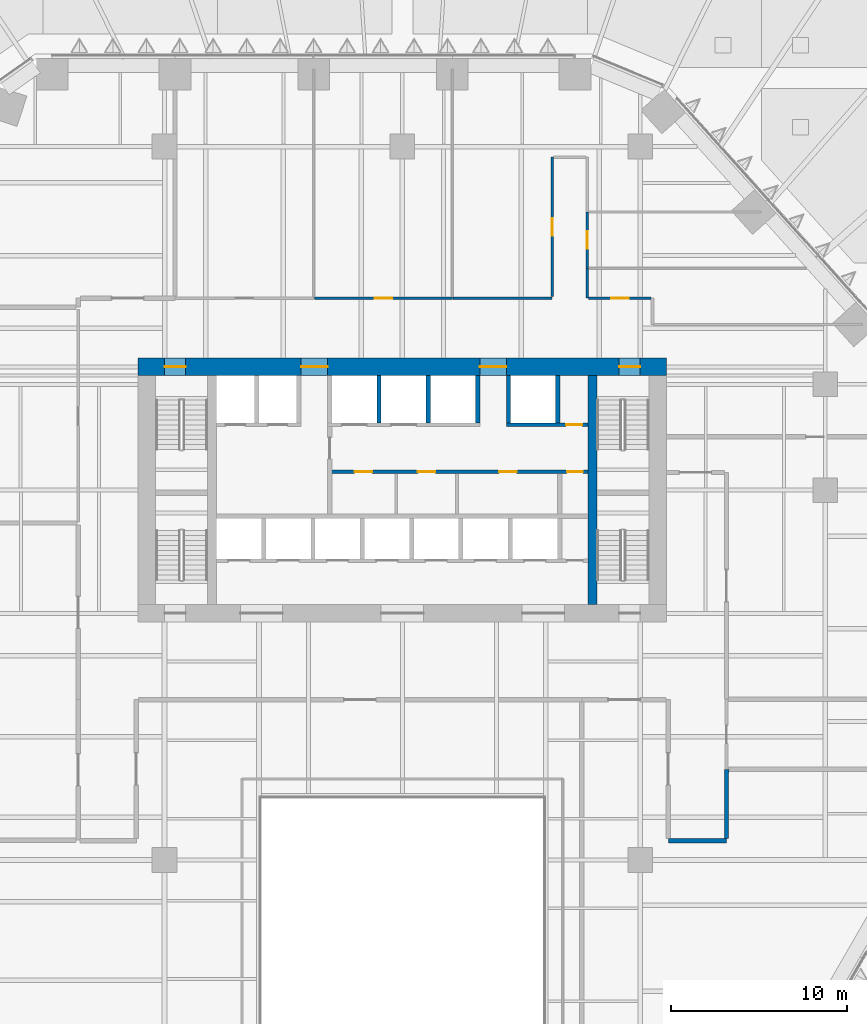
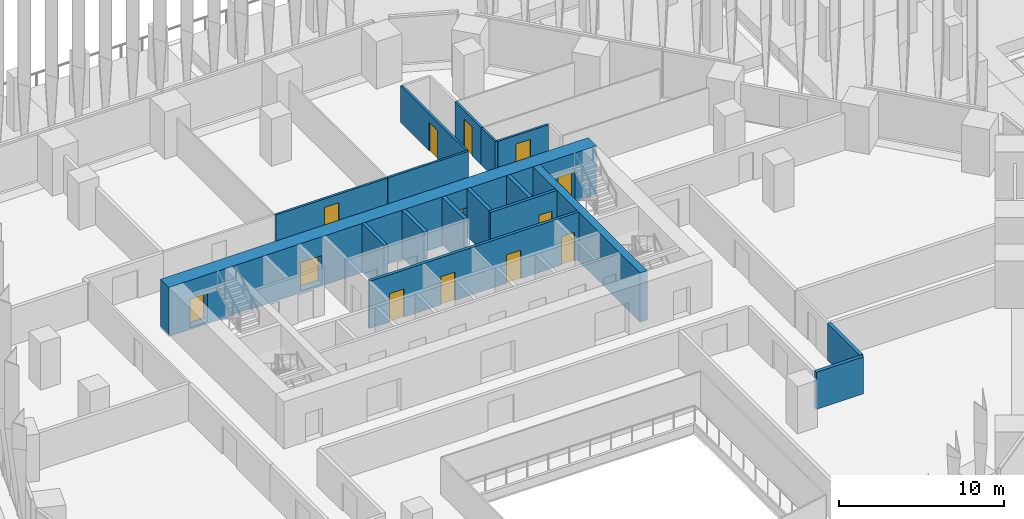
# One storey, part 26 of 51: 17 walls, 13 doors, 13 openings.
"""IFC4 building model written with IfcOpenShell, lengths in metres."""

from ifc_helpers import new_model, si_unit, direction, frame, frame_2d, origin, place, context, subcontext, project, spatial, rectangle, extrude, material, layer, layer_set, type_object, element, fill, save


model = new_model("IFC4")

# Units and contexts
model_context = context("Model", 3, precision=1e-05, world=origin(), true_north=direction((0.0, 1.0)))
body_context = subcontext(model_context, "Body", "Model", "MODEL_VIEW")
ifc_project = project(units=[si_unit("LENGTHUNIT", "METRE"), si_unit("AREAUNIT", "SQUARE_METRE"), si_unit("VOLUMEUNIT", "CUBIC_METRE"), si_unit("PLANEANGLEUNIT", "RADIAN"), si_unit("MASSUNIT", "GRAM", prefix="KILO")], contexts=[model_context])

# Site, building, storey
site_placement = place(None, origin())
site = spatial("IfcSite", under=ifc_project, at=site_placement, CompositionType="ELEMENT")
building_placement = place(site_placement, origin())
building = spatial("IfcBuilding", under=site, at=building_placement, Name="Isthmus Gate Tower", CompositionType="ELEMENT")
storey_placement = place(building_placement, frame((0.0, 0.0, 36.0)))
storey = spatial("IfcBuildingStorey", under=building, at=storey_placement, Name="L06", CompositionType="ELEMENT", Elevation=36.0)

# Walls
ifc_material_1 = material(Name="Double-leaf acoustic stud wall, fire-rated", Category="gypsum")
ifc_layer_1 = layer(ifc_material_1, 0.25)
ifc_layer_set_1 = layer_set([ifc_layer_1], Name="ACOUSTIC WALL 250 60 MIN")
wall_type_1 = type_object("IfcWallType", Name="ACOUSTIC WALL 250 60 MIN", PredefinedType="PARTITIONING", material=ifc_layer_set_1)
wall_1_placement = place(storey_placement, frame((18.39990234375, -12.39990234375, 0.0), z_axis=(0.0, 0.0, 1.0), x_axis=(-1.0, 0.0, 0.0)))
element("IfcWall", 1, at=wall_1_placement, inside=storey, type_object=wall_type_1, Name="L06 Acoustic Wall 250 60 Min", PredefinedType="PARTITIONING", context=body_context, shape_type="SweptSolid", body=[
    extrude(rectangle(XDim=3.2998046875, YDim=0.25, at=frame_2d((1.64990234375, 0.0))), origin(), (0.0, 0.0, 1.0), 2.7412109375),
])
wall_2_placement = place(storey_placement, frame((18.402099609375, -8.35009765625, 0.0), z_axis=(0.0, 0.0, 1.0), x_axis=(-0.000497636166, -0.999999876179, 0.0)))
element("IfcWall", 2, at=wall_2_placement, inside=storey, type_object=wall_type_1, Name="L06 Acoustic Wall 250 60 Min", PredefinedType="PARTITIONING", context=body_context, shape_type="SweptSolid", body=[
    extrude(rectangle(XDim=3.9248046875, YDim=0.25, at=frame_2d((1.96240234375, 0.0))), origin(), (0.0, 0.0, 1.0), 2.7412109375),
])

# Wall, opening, door
ifc_material_2 = material(Name="Gypsum board on steel studs, fire-rated", Category="steel")
ifc_layer_2 = layer(ifc_material_2, 0.14990234375)
ifc_layer_set_2 = layer_set([ifc_layer_2], Name="CORRIDOR WALL 150 60 MIN")
wall_type_2 = type_object("IfcWallType", Name="CORRIDOR WALL 150 60 MIN", PredefinedType="PARTITIONING", material=ifc_layer_set_2)
wall_3_placement = place(storey_placement, frame((10.5, 23.282958984375, 0.0), z_axis=(0.0, 0.0, 1.0), x_axis=(0.0, -1.0, 0.0)))
wall_3 = element("IfcWall", 3, at=wall_3_placement, inside=storey, type_object=wall_type_2, Name="L06 Corridor Wall 150 60 Min", PredefinedType="PARTITIONING", context=body_context, shape_type="SweptSolid", body=[
    extrude(rectangle(XDim=3.19091796875, YDim=0.14990234375, at=frame_2d((1.595458984375, 0.0))), origin(), (0.0, 0.0, 1.0), 2.7412109375),
])
opening_1_placement = place(wall_3_placement, frame((1.095458984375, 0.0, 0.0)))
opening_1 = element("IfcOpeningElement", 4, at=opening_1_placement, cuts=wall_3, Name="Opening DT-T1A-05", PredefinedType="OPENING", context=body_context, shape_type="SweptSolid", body=[
    extrude(rectangle(XDim=1.0, YDim=2.10009765625, at=frame_2d((0.5, 1.050048828125))), frame((0.0, 0.0849609375, 0.0), z_axis=(0.0, -1.0, 0.0), x_axis=(1.0, 0.0, 0.0)), (0.0, 0.0, 1.0), 0.169921875),
])
ifc_material_3 = material(Name="Solid core timber door leaf, fire-rated", Category="wood")
door_type_1 = type_object("IfcDoorType", Name="FIRE DOOR ROOM 1000 X 2100 60 MIN", OperationType="SINGLE_SWING_LEFT", PredefinedType="DOOR", material=ifc_material_3)
door_1_placement = place(opening_1_placement, origin())
door_1 = element("IfcDoor", 5, at=door_1_placement, inside=storey, type_object=door_type_1, Name="L06 room door", OperationType="SINGLE_SWING_RIGHT", OverallHeight=2.10009765625, OverallWidth=1.0, PredefinedType="DOOR", context=body_context, shape_type="SweptSolid", body=[
    extrude(rectangle(XDim=1.0, YDim=2.10009765625, at=frame_2d((0.5, 1.050048828125))), frame((0.0, 0.02490234375, 0.0), z_axis=(0.0, -1.0, 0.0), x_axis=(1.0, 0.0, 0.0)), (0.0, 0.0, 1.0), 0.050048828125),
])
fill(opening_1, door_1)

# Wall
wall_4_placement = place(storey_placement, frame((10.5, 20.092041015625, 0.0), z_axis=(0.0, 0.0, 1.0), x_axis=(0.0, -1.0, 0.0)))
element("IfcWall", 6, at=wall_4_placement, inside=storey, type_object=wall_type_2, Name="L06 Corridor Wall 150 60 Min", PredefinedType="PARTITIONING", context=body_context, shape_type="SweptSolid", body=[
    extrude(rectangle(XDim=1.692138671875, YDim=0.14990234375, at=frame_2d((0.84619140625, 0.0))), origin(), (0.0, 0.0, 1.0), 2.7412109375),
])

# Wall, opening, door
wall_5_placement = place(storey_placement, frame((-4.987060546875, 18.39990234375, 0.0), z_axis=(0.0, 0.0, 1.0), x_axis=(1.0, 0.0, 0.0)))
wall_5 = element("IfcWall", 7, at=wall_5_placement, inside=storey, type_object=wall_type_2, Name="L06 Corridor Wall 150 60 Min", PredefinedType="PARTITIONING", context=body_context, shape_type="SweptSolid", body=[
    extrude(rectangle(XDim=7.819091796875, YDim=0.14990234375, at=frame_2d((3.90966796875, 0.0))), origin(), (0.0, 0.0, 1.0), 2.7412109375),
])
opening_2_placement = place(wall_5_placement, frame((3.409423828125, 0.0, 0.0)))
opening_2 = element("IfcOpeningElement", 8, at=opening_2_placement, cuts=wall_5, Name="Opening DT-T1A-03", PredefinedType="OPENING", context=body_context, shape_type="SweptSolid", body=[
    extrude(rectangle(XDim=1.0, YDim=2.10009765625, at=frame_2d((0.5, 1.050048828125))), frame((0.0, 0.0849609375, 0.0), z_axis=(0.0, -1.0, 0.0), x_axis=(1.0, 0.0, 0.0)), (0.0, 0.0, 1.0), 0.169921875),
])
door_2_placement = place(opening_2_placement, origin())
door_2 = element("IfcDoor", 9, at=door_2_placement, inside=storey, type_object=door_type_1, Name="L06 room door", OperationType="SINGLE_SWING_RIGHT", OverallHeight=2.10009765625, OverallWidth=1.0, PredefinedType="DOOR", context=body_context, shape_type="SweptSolid", body=[
    extrude(rectangle(XDim=1.0, YDim=2.10009765625, at=frame_2d((0.5, 1.050048828125))), frame((0.0, 0.02490234375, 0.0), z_axis=(0.0, -1.0, 0.0), x_axis=(1.0, 0.0, 0.0)), (0.0, 0.0, 1.0), 0.050048828125),
])
fill(opening_2, door_2)

# Wall
wall_6_placement = place(storey_placement, frame((2.882080078125, 18.39990234375, 0.0), z_axis=(0.0, 0.0, 1.0), x_axis=(1.0, 0.0, 0.0)))
element("IfcWall", 10, at=wall_6_placement, inside=storey, type_object=wall_type_2, Name="L06 Corridor Wall 150 60 Min", PredefinedType="PARTITIONING", context=body_context, shape_type="SweptSolid", body=[
    extrude(rectangle(XDim=5.617919921875, YDim=0.14990234375, at=frame_2d((2.80908203125, 0.0))), origin(), (0.0, 0.0, 1.0), 2.7412109375),
])

# Wall, opening, door
wall_7_placement = place(storey_placement, frame((8.5, 18.47509765625, 0.0), z_axis=(0.0, 0.0, 1.0), x_axis=(0.0, 1.0, 0.0)))
wall_7 = element("IfcWall", 11, at=wall_7_placement, inside=storey, type_object=wall_type_2, Name="L06 Corridor Wall 150 60 Min", PredefinedType="PARTITIONING", context=body_context, shape_type="SweptSolid", body=[
    extrude(rectangle(XDim=7.9248046875, YDim=0.14990234375, at=frame_2d((3.96240234375, 0.0))), origin(), (0.0, 0.0, 1.0), 2.7412109375),
])
opening_3_placement = place(wall_7_placement, frame((3.46240234375, 0.0, 0.0)))
opening_3 = element("IfcOpeningElement", 12, at=opening_3_placement, cuts=wall_7, Name="Opening DT-T1A-04", PredefinedType="OPENING", context=body_context, shape_type="SweptSolid", body=[
    extrude(rectangle(XDim=1.0, YDim=2.10009765625, at=frame_2d((0.5, 1.050048828125))), frame((0.0, 0.0849609375, 0.0), z_axis=(0.0, -1.0, 0.0), x_axis=(1.0, 0.0, 0.0)), (0.0, 0.0, 1.0), 0.169921875),
])
door_3_placement = place(opening_3_placement, origin())
door_3 = element("IfcDoor", 13, at=door_3_placement, inside=storey, type_object=door_type_1, Name="L06 room door", OperationType="SINGLE_SWING_RIGHT", OverallHeight=2.10009765625, OverallWidth=1.0, PredefinedType="DOOR", context=body_context, shape_type="SweptSolid", body=[
    extrude(rectangle(XDim=1.0, YDim=2.10009765625, at=frame_2d((0.5, 1.050048828125))), frame((0.0, 0.02490234375, 0.0), z_axis=(0.0, -1.0, 0.0), x_axis=(1.0, 0.0, 0.0)), (0.0, 0.0, 1.0), 0.050048828125),
])
fill(opening_3, door_3)

wall_8_placement = place(storey_placement, frame((10.574951171875, 18.39990234375, 0.0), z_axis=(0.0, 0.0, 1.0), x_axis=(1.0, 0.0, 0.0)))
wall_8 = element("IfcWall", 14, at=wall_8_placement, inside=storey, type_object=wall_type_2, Name="L06 Corridor Wall 150 60 Min", PredefinedType="PARTITIONING", context=body_context, shape_type="SweptSolid", body=[
    extrude(rectangle(XDim=3.550048828125, YDim=0.14990234375, at=frame_2d((1.77490234375, 0.0))), origin(), (0.0, 0.0, 1.0), 2.7412109375),
])
opening_4_placement = place(wall_8_placement, frame((1.27490234375, 0.0, 0.0)))
opening_4 = element("IfcOpeningElement", 15, at=opening_4_placement, cuts=wall_8, Name="Opening DT-T1A-06", PredefinedType="OPENING", context=body_context, shape_type="SweptSolid", body=[
    extrude(rectangle(XDim=1.0, YDim=2.10009765625, at=frame_2d((0.5, 1.050048828125))), frame((0.0, 0.0849609375, 0.0), z_axis=(0.0, -1.0, 0.0), x_axis=(1.0, 0.0, 0.0)), (0.0, 0.0, 1.0), 0.169921875),
])
door_4_placement = place(opening_4_placement, origin())
door_4 = element("IfcDoor", 16, at=door_4_placement, inside=storey, type_object=door_type_1, Name="L06 room door", OperationType="SINGLE_SWING_RIGHT", OverallHeight=2.10009765625, OverallWidth=1.0, PredefinedType="DOOR", context=body_context, shape_type="SweptSolid", body=[
    extrude(rectangle(XDim=1.0, YDim=2.10009765625, at=frame_2d((0.5, 1.050048828125))), frame((0.0, 0.02490234375, 0.0), z_axis=(0.0, -1.0, 0.0), x_axis=(1.0, 0.0, 0.0)), (0.0, 0.0, 1.0), 0.050048828125),
])
fill(opening_4, door_4)

# Wall
ifc_material_4 = material(Name="Concrete f'c 70 MPa", Category="concrete")
ifc_layer_3 = layer(ifc_material_4, 0.5)
ifc_layer_set_3 = layer_set([ifc_layer_3], Name="RC CORE SPINE WALL 500 F'C 70")
wall_type_3 = type_object("IfcWallType", Name="RC CORE SPINE WALL 500 F'C 70", PredefinedType="SOLIDWALL", material=ifc_layer_set_3)
wall_9_placement = place(storey_placement, frame((10.800048828125, 1.0, -0.14990234375), z_axis=(0.0, 0.0, 1.0), x_axis=(0.0, 1.0, 0.0)))
element("IfcWall", 17, at=wall_9_placement, inside=storey, type_object=wall_type_3, Name="str-corewall-L06-SPE", PredefinedType="SOLIDWALL", context=body_context, shape_type="SweptSolid", body=[
    extrude(rectangle(XDim=13.0, YDim=0.5, at=frame_2d((6.5, 0.0))), origin(), (0.0, 0.0, 1.0), 3.64990234375),
])

# Wall, openings, doors
ifc_material_5 = material(Name="Concrete f'c 70 MPa", Category="concrete")
ifc_layer_4 = layer(ifc_material_5, 1.0)
ifc_layer_set_4 = layer_set([ifc_layer_4], Name="RC CORE WALL 1000 F'C 70")
wall_type_4 = type_object("IfcWallType", Name="RC CORE WALL 1000 F'C 70", PredefinedType="SOLIDWALL", material=ifc_layer_set_4)
wall_10_placement = place(storey_placement, frame((-15.0, 14.5, -0.14990234375), z_axis=(0.0, 0.0, 1.0), x_axis=(1.0, 0.0, 0.0)))
wall_10 = element("IfcWall", 18, at=wall_10_placement, inside=storey, type_object=wall_type_4, Name="str-corewall-L06-N", PredefinedType="SOLIDWALL", context=body_context, shape_type="SweptSolid", body=[
    extrude(rectangle(XDim=30.0, YDim=1.0, at=frame_2d((15.0, 0.0))), origin(), (0.0, 0.0, 1.0), 3.64990234375),
])
opening_5_placement = place(wall_10_placement, frame((9.25, 0.0, 0.14990234375)))
opening_5 = element("IfcOpeningElement", 19, at=opening_5_placement, cuts=wall_10, Name="Opening DC-A03-11", PredefinedType="OPENING", context=body_context, shape_type="SweptSolid", body=[
    extrude(rectangle(XDim=1.5, YDim=2.10009765625, at=frame_2d((0.75, 1.050048828125))), frame((0.0, 0.510009765625, 0.0), z_axis=(0.0, -1.0, 0.0), x_axis=(1.0, 0.0, 0.0)), (0.0, 0.0, 1.0), 1.02001953125),
])
opening_6_placement = place(wall_10_placement, frame((19.39990234375, 0.0, 0.14990234375)))
opening_6 = element("IfcOpeningElement", 20, at=opening_6_placement, cuts=wall_10, Name="Opening DC-A03-12", PredefinedType="OPENING", context=body_context, shape_type="SweptSolid", body=[
    extrude(rectangle(XDim=1.5, YDim=2.10009765625, at=frame_2d((0.75, 1.050048828125))), frame((0.0, 0.510009765625, 0.0), z_axis=(0.0, -1.0, 0.0), x_axis=(1.0, 0.0, 0.0)), (0.0, 0.0, 1.0), 1.02001953125),
])
opening_7_placement = place(wall_10_placement, frame((1.5, 0.0, 0.14990234375)))
opening_7 = element("IfcOpeningElement", 21, at=opening_7_placement, cuts=wall_10, Name="Opening DC-A03-13", PredefinedType="OPENING", context=body_context, shape_type="SweptSolid", body=[
    extrude(rectangle(XDim=1.199951171875, YDim=2.10009765625, at=frame_2d((0.60009765625, 1.050048828125))), frame((0.0, 0.510009765625, 0.0), z_axis=(0.0, -1.0, 0.0), x_axis=(1.0, 0.0, 0.0)), (0.0, 0.0, 1.0), 1.02001953125),
])
opening_8_placement = place(wall_10_placement, frame((27.300048828125, 0.0, 0.14990234375)))
opening_8 = element("IfcOpeningElement", 22, at=opening_8_placement, cuts=wall_10, Name="Opening DC-A03-14", PredefinedType="OPENING", context=body_context, shape_type="SweptSolid", body=[
    extrude(rectangle(XDim=1.199951171875, YDim=2.10009765625, at=frame_2d((0.60009765625, 1.050048828125))), frame((0.0, 0.510009765625, 0.0), z_axis=(0.0, -1.0, 0.0), x_axis=(1.0, 0.0, 0.0)), (0.0, 0.0, 1.0), 1.02001953125),
])
ifc_material_6 = material(Name="Steel door leaf, fire-rated", Category="steel")
door_type_2 = type_object("IfcDoorType", Name="LOBBY FIRE DOOR 1500 X 2100 60 MIN", OperationType="DOUBLE_DOOR_SINGLE_SWING", PredefinedType="DOOR", material=ifc_material_6)
door_5_placement = place(opening_6_placement, origin())
door_5 = element("IfcDoor", 23, at=door_5_placement, inside=storey, type_object=door_type_2, Name="Lobby Door PN-E", OperationType="DOUBLE_DOOR_SINGLE_SWING", OverallHeight=2.10009765625, OverallWidth=1.5, PredefinedType="DOOR", context=body_context, shape_type="SweptSolid", body=[
    extrude(rectangle(XDim=1.5, YDim=2.10009765625, at=frame_2d((0.75, 1.050048828125))), frame((0.0, 0.02490234375, 0.0), z_axis=(0.0, -1.0, 0.0), x_axis=(1.0, 0.0, 0.0)), (0.0, 0.0, 1.0), 0.050048828125),
])
fill(opening_6, door_5)
ifc_material_7 = material(Name="Steel door leaf, fire-rated", Category="steel")
door_type_3 = type_object("IfcDoorType", Name="LOBBY FIRE DOOR 1500 X 2100 90 MIN", OperationType="DOUBLE_DOOR_SINGLE_SWING", PredefinedType="DOOR", material=ifc_material_7)
door_6_placement = place(opening_5_placement, origin())
door_6 = element("IfcDoor", 24, at=door_6_placement, inside=storey, type_object=door_type_3, Name="Lobby Door PN-W", OperationType="DOUBLE_DOOR_SINGLE_SWING", OverallHeight=2.10009765625, OverallWidth=1.5, PredefinedType="DOOR", context=body_context, shape_type="SweptSolid", body=[
    extrude(rectangle(XDim=1.5, YDim=2.10009765625, at=frame_2d((0.75, 1.050048828125))), frame((0.0, 0.02490234375, 0.0), z_axis=(0.0, -1.0, 0.0), x_axis=(1.0, 0.0, 0.0)), (0.0, 0.0, 1.0), 0.050048828125),
])
fill(opening_5, door_6)
ifc_material_8 = material(Name="Steel door leaf, fire-rated", Category="steel")
door_type_4 = type_object("IfcDoorType", Name="STAIR FIRE DOOR 1200 X 2100 90 MIN", OperationType="SINGLE_SWING_LEFT", PredefinedType="DOOR", material=ifc_material_8)
door_7_placement = place(opening_7_placement, origin())
door_7 = element("IfcDoor", 25, at=door_7_placement, inside=storey, type_object=door_type_4, Name="Exit Stair 1 Door", OperationType="SINGLE_SWING_RIGHT", OverallHeight=2.10009765625, OverallWidth=1.199951171875, PredefinedType="DOOR", context=body_context, shape_type="SweptSolid", body=[
    extrude(rectangle(XDim=1.199951171875, YDim=2.10009765625, at=frame_2d((0.60009765625, 1.050048828125))), frame((0.0, 0.02490234375, 0.0), z_axis=(0.0, -1.0, 0.0), x_axis=(1.0, 0.0, 0.0)), (0.0, 0.0, 1.0), 0.050048828125),
])
fill(opening_7, door_7)
door_8_placement = place(opening_8_placement, origin())
door_8 = element("IfcDoor", 26, at=door_8_placement, inside=storey, type_object=door_type_4, Name="Exit Stair 2 Door", OperationType="SINGLE_SWING_LEFT", OverallHeight=2.10009765625, OverallWidth=1.199951171875, PredefinedType="DOOR", context=body_context, shape_type="SweptSolid", body=[
    extrude(rectangle(XDim=1.199951171875, YDim=2.10009765625, at=frame_2d((0.60009765625, 1.050048828125))), frame((0.0, 0.02490234375, 0.0), z_axis=(0.0, -1.0, 0.0), x_axis=(1.0, 0.0, 0.0)), (0.0, 0.0, 1.0), 0.050048828125),
])
fill(opening_8, door_8)

ifc_material_9 = material(Name="Fire-rated blockwork masonry, 15 MPa", Category="masonry")
ifc_layer_5 = layer(ifc_material_9, 0.199951171875)
ifc_layer_set_5 = layer_set([ifc_layer_5], Name="SHAFT FRONT WALL 200 120 MIN")
wall_type_5 = type_object("IfcWallType", Name="SHAFT FRONT WALL 200 120 MIN", PredefinedType="PARTITIONING", material=ifc_layer_set_5)
wall_11_placement = place(storey_placement, frame((-4.125, 8.550048828125, 0.0), z_axis=(0.0, 0.0, 1.0), x_axis=(1.0, 0.0, 0.0)))
wall_11 = element("IfcWall", 27, at=wall_11_placement, inside=storey, type_object=wall_type_5, Name="L06 SHAFT FRONT WALL 200 120 MIN", PredefinedType="PARTITIONING", context=body_context, shape_type="SweptSolid", body=[
    extrude(rectangle(XDim=14.675048828125, YDim=0.199951171875, at=frame_2d((7.33740234375, 0.0))), origin(), (0.0, 0.0, 1.0), 3.5),
])
opening_9_placement = place(wall_11_placement, frame((1.41259765625, 0.0, 0.0)))
opening_9 = element("IfcOpeningElement", 28, at=opening_9_placement, cuts=wall_11, Name="Opening DC-A03-03", PredefinedType="OPENING", context=body_context, shape_type="SweptSolid", body=[
    extrude(rectangle(XDim=1.0, YDim=2.10009765625, at=frame_2d((0.5, 1.050048828125))), frame((0.0, 0.10986328125, 0.0), z_axis=(0.0, -1.0, 0.0), x_axis=(1.0, 0.0, 0.0)), (0.0, 0.0, 1.0), 0.219970703125),
])
opening_10_placement = place(wall_11_placement, frame((5.0, 0.0, 0.0)))
opening_10 = element("IfcOpeningElement", 29, at=opening_10_placement, cuts=wall_11, Name="Opening DC-A03-04", PredefinedType="OPENING", context=body_context, shape_type="SweptSolid", body=[
    extrude(rectangle(XDim=1.0, YDim=2.10009765625, at=frame_2d((0.5, 1.050048828125))), frame((0.0, 0.10986328125, 0.0), z_axis=(0.0, -1.0, 0.0), x_axis=(1.0, 0.0, 0.0)), (0.0, 0.0, 1.0), 0.219970703125),
])
opening_11_placement = place(wall_11_placement, frame((9.612548828125, 0.0, 0.0)))
opening_11 = element("IfcOpeningElement", 30, at=opening_11_placement, cuts=wall_11, Name="Opening DC-A03-05", PredefinedType="OPENING", context=body_context, shape_type="SweptSolid", body=[
    extrude(rectangle(XDim=1.0, YDim=2.10009765625, at=frame_2d((0.5, 1.050048828125))), frame((0.0, 0.10986328125, 0.0), z_axis=(0.0, -1.0, 0.0), x_axis=(1.0, 0.0, 0.0)), (0.0, 0.0, 1.0), 0.219970703125),
])
opening_12_placement = place(wall_11_placement, frame((13.47509765625, 0.0, 0.0)))
opening_12 = element("IfcOpeningElement", 31, at=opening_12_placement, cuts=wall_11, Name="Opening DC-A03-06", PredefinedType="OPENING", context=body_context, shape_type="SweptSolid", body=[
    extrude(rectangle(XDim=0.89990234375, YDim=2.10009765625, at=frame_2d((0.449951171875, 1.050048828125))), frame((0.0, 0.10986328125, 0.0), z_axis=(0.0, -1.0, 0.0), x_axis=(1.0, 0.0, 0.0)), (0.0, 0.0, 1.0), 0.219970703125),
])
ifc_material_10 = material(Name="Steel door leaf, fire-rated", Category="steel")
door_type_5 = type_object("IfcDoorType", Name="FIRE DOOR 1000 X 2100 60 MIN", OperationType="SINGLE_SWING_LEFT", PredefinedType="DOOR", material=ifc_material_10)
door_9_placement = place(opening_9_placement, origin())
door_9 = element("IfcDoor", 32, at=door_9_placement, inside=storey, type_object=door_type_5, Name="WC Men Door", OperationType="SINGLE_SWING_LEFT", OverallHeight=2.10009765625, OverallWidth=1.0, PredefinedType="DOOR", context=body_context, shape_type="SweptSolid", body=[
    extrude(rectangle(XDim=1.0, YDim=2.10009765625, at=frame_2d((0.5, 1.050048828125))), frame((0.0, 0.02490234375, 0.0), z_axis=(0.0, -1.0, 0.0), x_axis=(1.0, 0.0, 0.0)), (0.0, 0.0, 1.0), 0.050048828125),
])
fill(opening_9, door_9)
door_10_placement = place(opening_10_placement, origin())
door_10 = element("IfcDoor", 33, at=door_10_placement, inside=storey, type_object=door_type_5, Name="WC Women Door", OperationType="SINGLE_SWING_RIGHT", OverallHeight=2.10009765625, OverallWidth=1.0, PredefinedType="DOOR", context=body_context, shape_type="SweptSolid", body=[
    extrude(rectangle(XDim=1.0, YDim=2.10009765625, at=frame_2d((0.5, 1.050048828125))), frame((0.0, 0.02490234375, 0.0), z_axis=(0.0, -1.0, 0.0), x_axis=(1.0, 0.0, 0.0)), (0.0, 0.0, 1.0), 0.050048828125),
])
fill(opening_10, door_10)
door_11_placement = place(opening_11_placement, origin())
door_11 = element("IfcDoor", 34, at=door_11_placement, inside=storey, type_object=door_type_5, Name="Accessible WC Door", OperationType="SINGLE_SWING_LEFT", OverallHeight=2.10009765625, OverallWidth=1.0, PredefinedType="DOOR", context=body_context, shape_type="SweptSolid", body=[
    extrude(rectangle(XDim=1.0, YDim=2.10009765625, at=frame_2d((0.5, 1.050048828125))), frame((0.0, 0.02490234375, 0.0), z_axis=(0.0, -1.0, 0.0), x_axis=(1.0, 0.0, 0.0)), (0.0, 0.0, 1.0), 0.050048828125),
])
fill(opening_11, door_11)
ifc_material_11 = material(Name="Steel door leaf, fire-rated", Category="steel")
door_type_6 = type_object("IfcDoorType", Name="RISER FIRE DOOR 900 X 2100 90 MIN", OperationType="SINGLE_SWING_LEFT", PredefinedType="DOOR", material=ifc_material_11)
door_12_placement = place(opening_12_placement, origin())
door_12 = element("IfcDoor", 35, at=door_12_placement, inside=storey, type_object=door_type_6, Name="Riser Door", OperationType="SINGLE_SWING_RIGHT", OverallHeight=2.10009765625, OverallWidth=0.89990234375, PredefinedType="DOOR", context=body_context, shape_type="SweptSolid", body=[
    extrude(rectangle(XDim=0.89990234375, YDim=2.10009765625, at=frame_2d((0.449951171875, 1.050048828125))), frame((0.0, 0.02490234375, 0.0), z_axis=(0.0, -1.0, 0.0), x_axis=(1.0, 0.0, 0.0)), (0.0, 0.0, 1.0), 0.050048828125),
])
fill(opening_12, door_12)

# Wall, opening, door
wall_12_placement = place(storey_placement, frame((5.89990234375, 11.199951171875, 0.0), z_axis=(0.0, 0.0, 1.0), x_axis=(1.0, 0.0, 0.0)))
wall_12 = element("IfcWall", 36, at=wall_12_placement, inside=storey, type_object=wall_type_5, Name="L06 SHAFT FRONT WALL 200 120 MIN", PredefinedType="PARTITIONING", context=body_context, shape_type="SweptSolid", body=[
    extrude(rectangle(XDim=4.650146484375, YDim=0.199951171875, at=frame_2d((2.3251953125, 0.0))), origin(), (0.0, 0.0, 1.0), 3.5),
])
opening_13_placement = place(wall_12_placement, frame((3.39990234375, 0.0, 0.0)))
opening_13 = element("IfcOpeningElement", 37, at=opening_13_placement, cuts=wall_12, Name="Opening DC-A03-07", PredefinedType="OPENING", context=body_context, shape_type="SweptSolid", body=[
    extrude(rectangle(XDim=0.89990234375, YDim=2.10009765625, at=frame_2d((0.449951171875, 1.050048828125))), frame((0.0, 0.10986328125, 0.0), z_axis=(0.0, -1.0, 0.0), x_axis=(1.0, 0.0, 0.0)), (0.0, 0.0, 1.0), 0.219970703125),
])
door_13_placement = place(opening_13_placement, origin())
door_13 = element("IfcDoor", 38, at=door_13_placement, inside=storey, type_object=door_type_6, Name="Riser Door", OperationType="SINGLE_SWING_LEFT", OverallHeight=2.10009765625, OverallWidth=0.89990234375, PredefinedType="DOOR", context=body_context, shape_type="SweptSolid", body=[
    extrude(rectangle(XDim=0.89990234375, YDim=2.10009765625, at=frame_2d((0.449951171875, 1.050048828125))), frame((0.0, 0.02490234375, 0.0), z_axis=(0.0, -1.0, 0.0), x_axis=(1.0, 0.0, 0.0)), (0.0, 0.0, 1.0), 0.050048828125),
])
fill(opening_13, door_13)

# Walls
ifc_material_12 = material(Name="Fire-rated blockwork masonry, 15 MPa", Category="masonry")
ifc_layer_6 = layer(ifc_material_12, 0.25)
ifc_layer_set_6 = layer_set([ifc_layer_6], Name="SHAFT WALL 250 120 MIN")
wall_type_6 = type_object("IfcWallType", Name="SHAFT WALL 250 120 MIN", PredefinedType="PARTITIONING", material=ifc_layer_set_6)
for number, where, z_axis, x_axis, name in (
    (39, (-1.324951171875, 11.300048828125, 0.0), (0.0, 0.0, 1.0), (0.0, 1.0, 0.0), "L06 SHAFT WALL 250 120 MIN"),
    (40, (1.47509765625, 11.300048828125, 0.0), (0.0, 0.0, 1.0), (0.0, 1.0, 0.0), "L06 SHAFT WALL 250 120 MIN"),
    (41, (4.27490234375, 11.300048828125, 0.0), (0.0, 0.0, 1.0), (0.0, 1.0, 0.0), "L06 SHAFT WALL 250 120 MIN"),
    (42, (6.02490234375, 11.300048828125, 0.0), (0.0, 0.0, 1.0), (0.0, 1.0, 0.0), "L06 SHAFT WALL 250 120 MIN"),
    (43, (8.824951171875, 11.300048828125, 0.0), (0.0, 0.0, 1.0), (0.0, 1.0, 0.0), "L06 SHAFT WALL 250 120 MIN"),
):
    element("IfcWall", number, at=place(storey_placement, frame(where, z_axis=z_axis, x_axis=x_axis)), inside=storey, type_object=wall_type_6, Name=name, PredefinedType="PARTITIONING", context=body_context, shape_type="SweptSolid", body=[
        extrude(rectangle(XDim=2.699951171875, YDim=0.25, at=frame_2d((1.35009765625, 0.0))), origin(), (0.0, 0.0, 1.0), 3.5),
    ])

save(model, "model.ifc")
